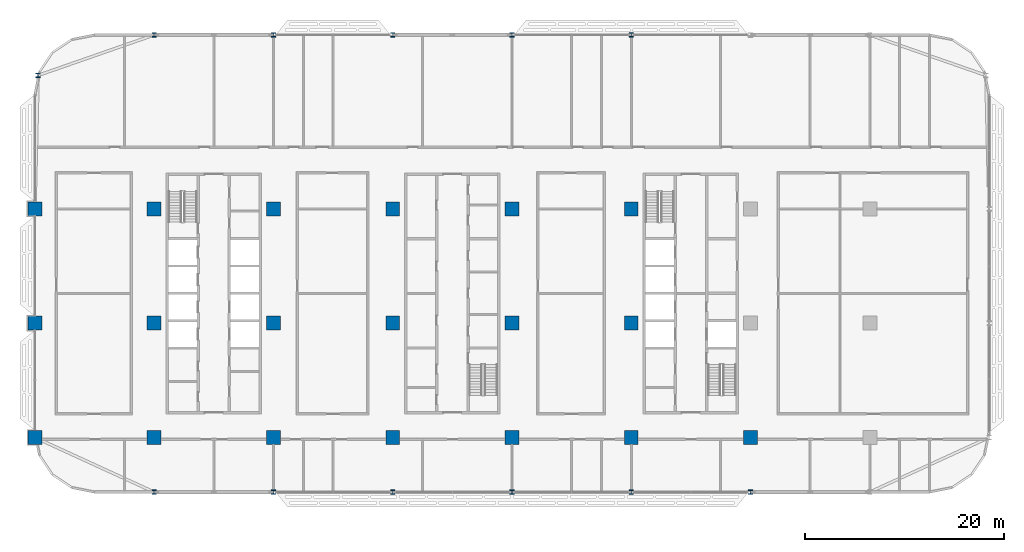
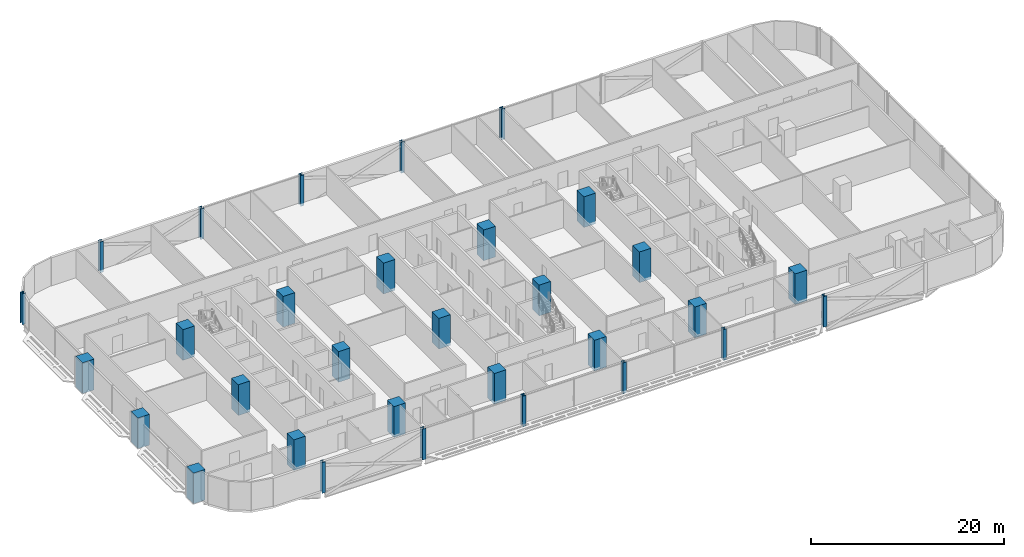
# One storey, part 1 of 29: 31 columns.
"""IFC4 building model written with IfcOpenShell, lengths in metres."""

from ifc_helpers import new_model, si_unit, direction, frame, origin, origin_2d, place, context, subcontext, project, spatial, rectangle, i_section, extrude, material, material_profile, profile_set, type_object, element, save


model = new_model("IFC4")

# Units and contexts
model_context = context("Model", 3, precision=1e-05, world=origin(), true_north=direction((0.0, 1.0)))
body_context = subcontext(model_context, "Body", "Model", "MODEL_VIEW")
ifc_project = project(units=[si_unit("LENGTHUNIT", "METRE"), si_unit("AREAUNIT", "SQUARE_METRE"), si_unit("VOLUMEUNIT", "CUBIC_METRE"), si_unit("PLANEANGLEUNIT", "RADIAN"), si_unit("MASSUNIT", "GRAM", prefix="KILO")], contexts=[model_context])

# Site, building, storey
site_placement = place(None, origin())
site = spatial("IfcSite", under=ifc_project, at=site_placement, CompositionType="ELEMENT")
building_placement = place(site_placement, origin())
building = spatial("IfcBuilding", under=site, at=building_placement, Name="Mahtab Terrace Research Tower", CompositionType="ELEMENT")
storey_placement = place(building_placement, frame((0.0, 0.0, 113.5)))
storey = spatial("IfcBuildingStorey", under=building, at=storey_placement, Name="L26", CompositionType="ELEMENT", Elevation=113.5)

# Columns
ifc_material_1 = material(Name="Concrete C70/85", Category="concrete")
ifc_material_profile_1 = material_profile(ifc_material_1, rectangle(XDim=1.39990234375, YDim=1.39990234375, at=origin_2d()), Name="RC column 1400x1400")
ifc_profile_set_1 = profile_set([ifc_material_profile_1], Name="Concrete C70/85")
column_type_1 = type_object("IfcColumnType", Name="RC column 1400x1400", PredefinedType="COLUMN", material=ifc_profile_set_1)
for number, where, z_axis, x_axis, name in (
    (1, (-42.0, -11.5, -0.340087890625), (0.0, 0.0, 1.0), (1.0, 0.0, 0.0), "Column RC-1A L26"),
    (2, (-42.0, 0.0, -0.340087890625), (0.0, 0.0, 1.0), (1.0, 0.0, 0.0), "Column RC-1B L26"),
    (3, (-42.0, 11.5, -0.340087890625), (0.0, 0.0, 1.0), (1.0, 0.0, 0.0), "Column RC-1C L26"),
    (4, (-30.0, -11.5, -0.340087890625), (0.0, 0.0, 1.0), (1.0, 0.0, 0.0), "Column RC-2A L26"),
    (5, (-30.0, 0.0, -0.340087890625), (0.0, 0.0, 1.0), (1.0, 0.0, 0.0), "Column RC-2B L26"),
    (6, (-30.0, 11.5, -0.340087890625), (0.0, 0.0, 1.0), (1.0, 0.0, 0.0), "Column RC-2C L26"),
    (7, (-18.0, -11.5, -0.340087890625), (0.0, 0.0, 1.0), (1.0, 0.0, 0.0), "Column RC-3A L26"),
    (8, (-18.0, 0.0, -0.340087890625), (0.0, 0.0, 1.0), (1.0, 0.0, 0.0), "Column RC-3B L26"),
    (9, (-18.0, 11.5, -0.340087890625), (0.0, 0.0, 1.0), (1.0, 0.0, 0.0), "Column RC-3C L26"),
    (10, (-6.0, -11.5, -0.340087890625), (0.0, 0.0, 1.0), (1.0, 0.0, 0.0), "Column RC-4A L26"),
    (11, (-6.0, 0.0, -0.340087890625), (0.0, 0.0, 1.0), (1.0, 0.0, 0.0), "Column RC-4B L26"),
    (12, (-6.0, 11.5, -0.340087890625), (0.0, 0.0, 1.0), (1.0, 0.0, 0.0), "Column RC-4C L26"),
    (13, (6.0, -11.5, -0.340087890625), (0.0, 0.0, 1.0), (1.0, 0.0, 0.0), "Column RC-5A L26"),
    (14, (6.0, 0.0, -0.340087890625), (0.0, 0.0, 1.0), (1.0, 0.0, 0.0), "Column RC-5B L26"),
    (15, (6.0, 11.5, -0.340087890625), (0.0, 0.0, 1.0), (1.0, 0.0, 0.0), "Column RC-5C L26"),
    (16, (18.0, -11.5, -0.340087890625), (0.0, 0.0, 1.0), (1.0, 0.0, 0.0), "Column RC-6A L26"),
    (17, (18.0, 0.0, -0.340087890625), (0.0, 0.0, 1.0), (1.0, 0.0, 0.0), "Column RC-6B L26"),
    (18, (18.0, 11.5, -0.340087890625), (0.0, 0.0, 1.0), (1.0, 0.0, 0.0), "Column RC-6C L26"),
    (19, (30.0, -11.5, -0.340087890625), (0.0, 0.0, 1.0), (1.0, 0.0, 0.0), "Column RC-7A L26"),
):
    element("IfcColumn", number, at=place(storey_placement, frame(where, z_axis=z_axis, x_axis=x_axis)), inside=storey, type_object=column_type_1, Name=name, PredefinedType="COLUMN", context=body_context, shape_type="SweptSolid", body=[
        extrude(rectangle(XDim=1.39990234375, YDim=1.39990234375, at=origin_2d()), origin(), (0.0, 0.0, 1.0), 3.89013671875),
    ])
ifc_material_2 = material(Name="Steel ASTM A992 Gr 50", Category="steel")
ifc_material_profile_2 = material_profile(ifc_material_2, i_section(OverallWidth=0.419189453125, OverallDepth=0.45458984375, WebThickness=0.042236328125, FlangeThickness=0.067626953125, at=origin_2d()), Name="W14X370")
ifc_profile_set_2 = profile_set([ifc_material_profile_2], Name="Steel ASTM A992 Gr 50")
column_type_2 = type_object("IfcColumnType", Name="W14x370 column CS14370", PredefinedType="COLUMN", material=ifc_profile_set_2)
for number, where, z_axis, x_axis, name in (
    (20, (18.0, 29.0, -0.340087890625), (0.0, 0.0, 1.0), (1.0, 0.0, 0.0), "Column SC-033 L26"),
    (21, (6.0, 29.0, -0.340087890625), (0.0, 0.0, 1.0), (1.0, 0.0, 0.0), "Column SC-034 L26"),
    (22, (-6.0, 29.0, -0.340087890625), (0.0, 0.0, 1.0), (1.0, 0.0, 0.0), "Column SC-035 L26"),
    (23, (-18.0, 29.0, -0.340087890625), (0.0, 0.0, 1.0), (1.0, 0.0, 0.0), "Column SC-036 L26"),
    (24, (-30.0, 29.0, -0.340087890625), (0.0, 0.0, 1.0), (1.0, 0.0, 0.0), "Column SC-037 L26"),
    (25, (-41.681884765625, 24.927001953125, -0.340087890625), (0.0, 0.0, 1.0), (1.0, 0.0, 0.0), "Column SC-038 L26"),
    (26, (-30.0, -17.0, -0.340087890625), (0.0, 0.0, 1.0), (1.0, 0.0, 0.0), "Column SC-039 L26"),
    (27, (-18.0, -17.0, -0.340087890625), (0.0, 0.0, 1.0), (1.0, 0.0, 0.0), "Column SC-040 L26"),
    (28, (-6.0, -17.0, -0.340087890625), (0.0, 0.0, 1.0), (1.0, 0.0, 0.0), "Column SC-041 L26"),
    (29, (6.0, -17.0, -0.340087890625), (0.0, 0.0, 1.0), (1.0, 0.0, 0.0), "Column SC-042 L26"),
    (30, (18.0, -17.0, -0.340087890625), (0.0, 0.0, 1.0), (1.0, 0.0, 0.0), "Column SC-043 L26"),
    (31, (30.0, -17.0, -0.340087890625), (0.0, 0.0, 1.0), (1.0, 0.0, 0.0), "Column SC-044 L26"),
):
    element("IfcColumn", number, at=place(storey_placement, frame(where, z_axis=z_axis, x_axis=x_axis)), inside=storey, type_object=column_type_2, Name=name, PredefinedType="COLUMN", context=body_context, shape_type="SweptSolid", body=[
        extrude(i_section(OverallWidth=0.419189453125, OverallDepth=0.45458984375, WebThickness=0.042236328125, FlangeThickness=0.067626953125, at=origin_2d()), origin(), (0.0, 0.0, 1.0), 3.89013671875),
    ])

save(model, "model.ifc")
